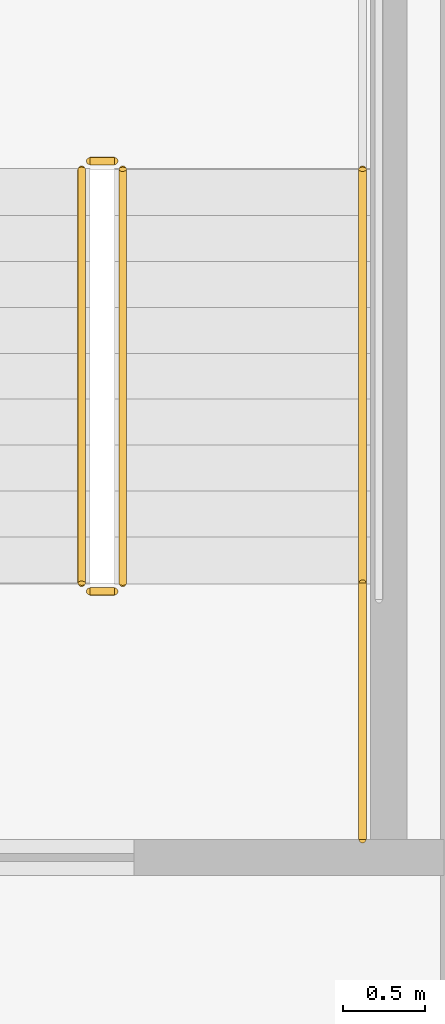
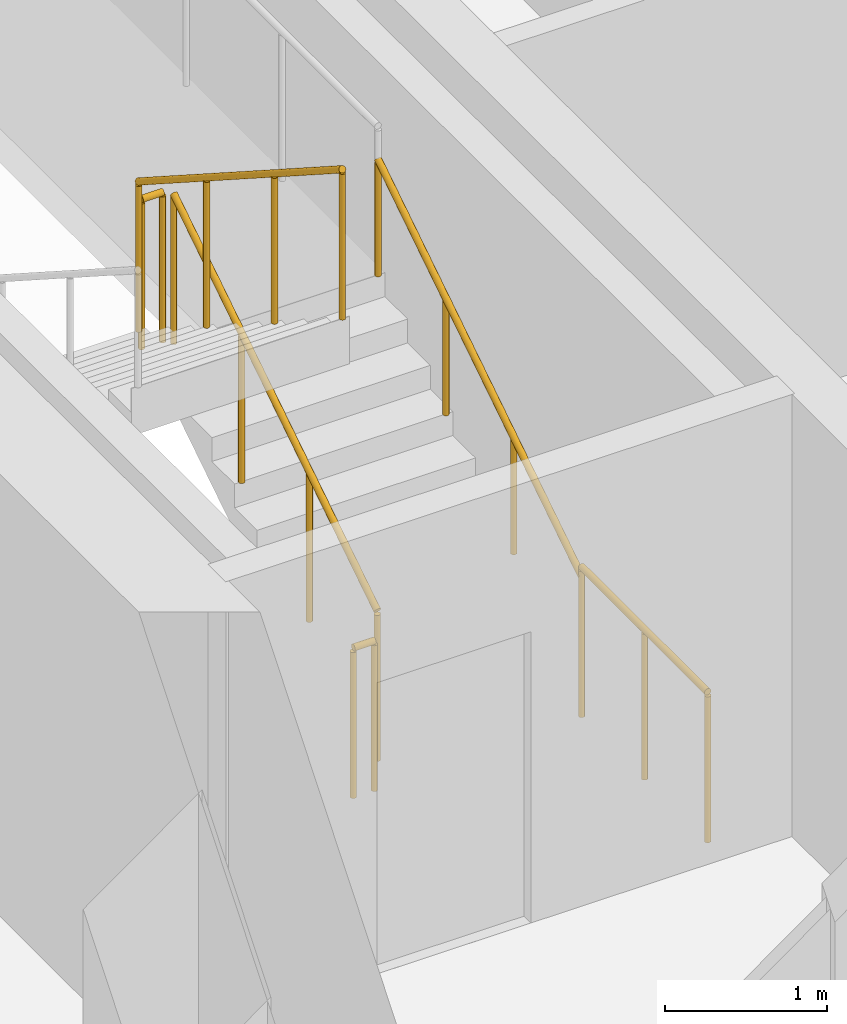
# One storey, part 13 of 15: 6 railings.
"""IFC4 building model written with IfcOpenShell, lengths in metres."""

from ifc_helpers import new_model, si_unit, direction, frame, origin, origin_2d, place, context, subcontext, project, spatial, circle, extrude, material, type_object, element, save


model = new_model("IFC4")

# Units and contexts
model_context = context("Model", 3, precision=1e-05, world=origin(), true_north=direction((0.0, 1.0)))
body_context = subcontext(model_context, "Body", "Model", "MODEL_VIEW")
ifc_project = project(units=[si_unit("LENGTHUNIT", "METRE"), si_unit("AREAUNIT", "SQUARE_METRE"), si_unit("VOLUMEUNIT", "CUBIC_METRE"), si_unit("PLANEANGLEUNIT", "RADIAN"), si_unit("MASSUNIT", "GRAM", prefix="KILO")], contexts=[model_context])

# Site, building, storey
site_placement = place(None, origin())
site = spatial("IfcSite", under=ifc_project, at=site_placement, CompositionType="ELEMENT")
building_placement = place(site_placement, origin())
building = spatial("IfcBuilding", under=site, at=building_placement, Name="Khairoan Windgate Tower", CompositionType="ELEMENT")
storey_placement = place(building_placement, frame((0.0, 0.0, 226.0)))
storey = spatial("IfcBuildingStorey", under=building, at=storey_placement, Name="L52", CompositionType="ELEMENT", Elevation=226.0)

# Railings
ifc_material_1 = material(Name="Anodised Bronze Aluminium 6063-T6", Category="aluminium")
railing_type_1 = type_object("IfcRailingType", Name="Stair Wall Handrail SHR-900", PredefinedType="HANDRAIL", material=ifc_material_1)
railing_1_placement = place(storey_placement, frame((-16.199951171875, 2.9599609375, 0.179931640625)))
element("IfcRailing", 1, at=railing_1_placement, inside=storey, type_object=railing_type_1, Name="L52 ST2 stair handrail 1", PredefinedType="HANDRAIL", context=body_context, shape_type="SweptSolid", body=[
    extrude(circle(Radius=0.02392578125, at=origin_2d()), frame((0.0, 0.0, 0.8759765625), z_axis=(0.0, 0.841162588446, 0.540782303519), x_axis=(-1.0, 0.0, 0.0)), (0.0, 0.0, 1.0), 2.995849609375),
    extrude(circle(Radius=0.02099609375, at=origin_2d()), origin(), (0.0, 0.0, 1.0), 0.851806640625),
    extrude(circle(Radius=0.02099609375, at=origin_2d()), frame((0.0, 0.840087890625, 0.5400390625)), (0.0, 0.0, 1.0), 0.851806640625),
    extrude(circle(Radius=0.02099609375, at=origin_2d()), frame((0.0, 1.679931640625, 1.080078125)), (0.0, 0.0, 1.0), 0.851806640625),
    extrude(circle(Radius=0.02099609375, at=origin_2d()), frame((0.0, 2.52001953125, 1.6201171875)), (0.0, 0.0, 1.0), 0.851806640625),
])
ifc_material_2 = material(Name="Steel S355", Category="steel")
railing_type_2 = type_object("IfcRailingType", Name="Stairwell Safety Guardrail SGR-1150", PredefinedType="GUARDRAIL", material=ifc_material_2)
railing_2_placement = place(storey_placement, frame((-17.659912109375, 2.9599609375, 0.179931640625)))
element("IfcRailing", 2, at=railing_2_placement, inside=storey, type_object=railing_type_2, Name="L52 ST2 stair guard 1", PredefinedType="GUARDRAIL", context=body_context, shape_type="SweptSolid", body=[
    extrude(circle(Radius=0.02392578125, at=origin_2d()), frame((0.0, 0.0, 1.1259765625), z_axis=(0.0, 0.841162588446, 0.540782303519), x_axis=(-1.0, 0.0, 0.0)), (0.0, 0.0, 1.0), 2.995849609375),
    extrude(circle(Radius=0.02099609375, at=origin_2d()), origin(), (0.0, 0.0, 1.0), 1.101806640625),
    extrude(circle(Radius=0.02099609375, at=origin_2d()), frame((0.0, 0.840087890625, 0.5400390625)), (0.0, 0.0, 1.0), 1.101806640625),
    extrude(circle(Radius=0.02099609375, at=origin_2d()), frame((0.0, 1.679931640625, 1.080078125)), (0.0, 0.0, 1.0), 1.101806640625),
    extrude(circle(Radius=0.02099609375, at=origin_2d()), frame((0.0, 2.52001953125, 1.6201171875)), (0.0, 0.0, 1.0), 1.101806640625),
])
railing_3_placement = place(storey_placement, frame((-17.7099609375, 5.530029296875, 1.800048828125)))
element("IfcRailing", 3, at=railing_3_placement, inside=storey, type_object=railing_type_2, Name="L52 ST2 stair guard 2", PredefinedType="GUARDRAIL", context=body_context, shape_type="SweptSolid", body=[
    extrude(circle(Radius=0.02392578125, at=origin_2d()), frame((0.0, 0.0, 1.1259765625), z_axis=(-1.0, 0.0, 0.0), x_axis=(0.0, -1.0, 0.0)), (0.0, 0.0, 1.0), 0.150146484375),
    extrude(circle(Radius=0.02099609375, at=origin_2d()), origin(), (0.0, 0.0, 1.0), 1.101806640625),
    extrude(circle(Radius=0.02099609375, at=origin_2d()), frame((-0.150146484375, 0.0, 0.0)), (0.0, 0.0, 1.0), 1.101806640625),
])
railing_4_placement = place(storey_placement, frame((-17.909912109375, 5.47998046875, 1.97998046875)))
element("IfcRailing", 4, at=railing_4_placement, inside=storey, type_object=railing_type_2, Name="L52 ST2 stair guard 6", PredefinedType="GUARDRAIL", context=body_context, shape_type="SweptSolid", body=[
    extrude(circle(Radius=0.02392578125, at=origin_2d()), frame((0.0, 0.0, 1.1259765625), z_axis=(0.0, -0.841162588446, 0.540782303519), x_axis=(1.0, 0.0, 0.0)), (0.0, 0.0, 1.0), 2.995849609375),
    extrude(circle(Radius=0.02099609375, at=origin_2d()), origin(), (0.0, 0.0, 1.0), 1.101806640625),
    extrude(circle(Radius=0.02099609375, at=origin_2d()), frame((0.0, -0.840087890625, 0.5400390625)), (0.0, 0.0, 1.0), 1.101806640625),
    extrude(circle(Radius=0.02099609375, at=origin_2d()), frame((0.0, -1.679931640625, 1.080078125)), (0.0, 0.0, 1.0), 1.101806640625),
    extrude(circle(Radius=0.02099609375, at=origin_2d()), frame((0.0, -2.52001953125, 1.6201171875)), (0.0, 0.0, 1.0), 1.101806640625),
])
railing_5_placement = place(storey_placement, frame((-17.7099609375, 2.909912109375, 0.0)))
element("IfcRailing", 5, at=railing_5_placement, inside=storey, type_object=railing_type_2, Name="L52 ST2 stair guard 7", PredefinedType="GUARDRAIL", context=body_context, shape_type="SweptSolid", body=[
    extrude(circle(Radius=0.02392578125, at=origin_2d()), frame((0.0, 0.0, 1.1259765625), z_axis=(-1.0, 0.0, 0.0), x_axis=(0.0, -1.0, 0.0)), (0.0, 0.0, 1.0), 0.150146484375),
    extrude(circle(Radius=0.02099609375, at=origin_2d()), origin(), (0.0, 0.0, 1.0), 1.101806640625),
    extrude(circle(Radius=0.02099609375, at=origin_2d()), frame((-0.150146484375, 0.0, 0.0)), (0.0, 0.0, 1.0), 1.101806640625),
])
railing_6_placement = place(storey_placement, frame((-16.199951171875, 1.39990234375, 0.0)))
element("IfcRailing", 6, at=railing_6_placement, inside=storey, type_object=railing_type_2, Name="L52 ST2 stair guard 8", PredefinedType="GUARDRAIL", context=body_context, shape_type="SweptSolid", body=[
    extrude(circle(Radius=0.02392578125, at=origin_2d()), frame((0.0, 0.0, 1.1259765625), z_axis=(0.0, 1.0, 0.0), x_axis=(-1.0, 0.0, 0.0)), (0.0, 0.0, 1.0), 1.56005859375),
    extrude(circle(Radius=0.02099609375, at=origin_2d()), origin(), (0.0, 0.0, 1.0), 1.101806640625),
    extrude(circle(Radius=0.02099609375, at=origin_2d()), frame((0.0, 0.780029296875, 0.0)), (0.0, 0.0, 1.0), 1.101806640625),
    extrude(circle(Radius=0.02099609375, at=origin_2d()), frame((0.0, 1.56005859375, 0.0)), (0.0, 0.0, 1.0), 1.101806640625),
])

save(model, "model.ifc")
